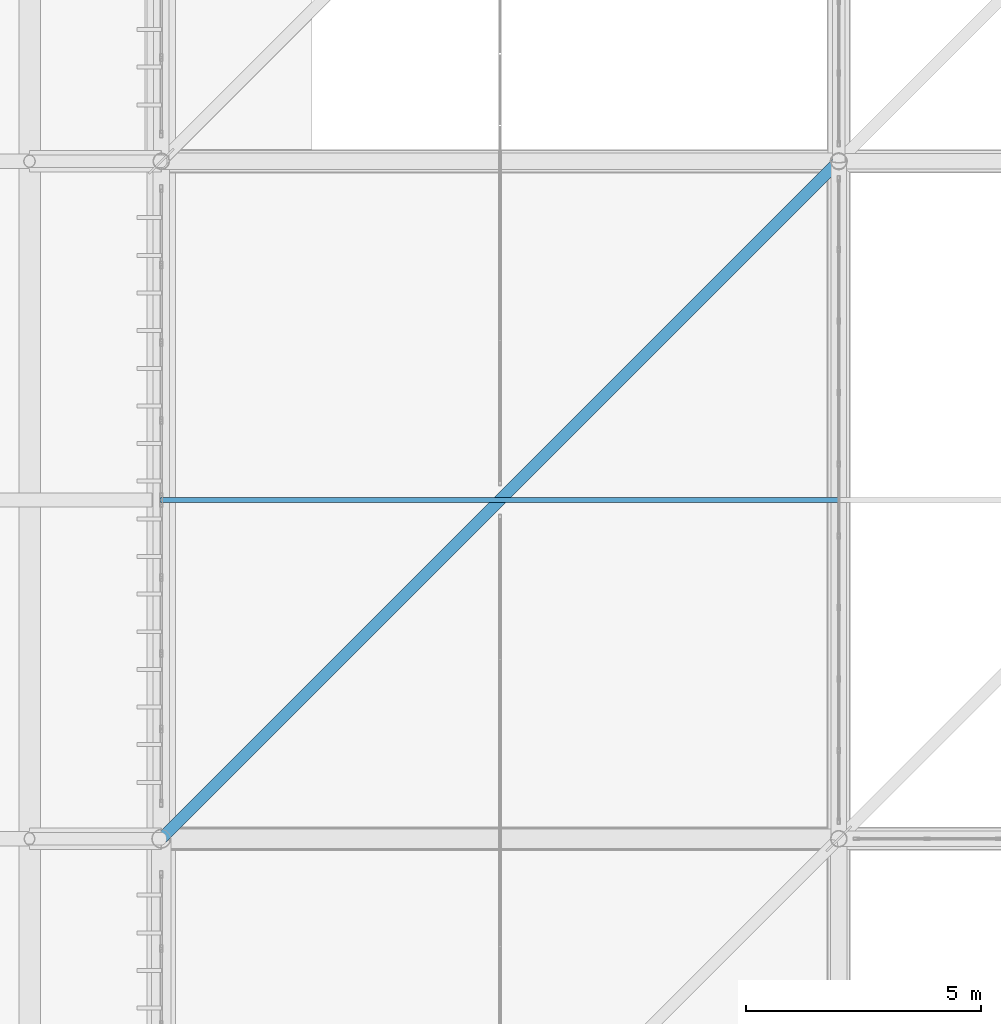
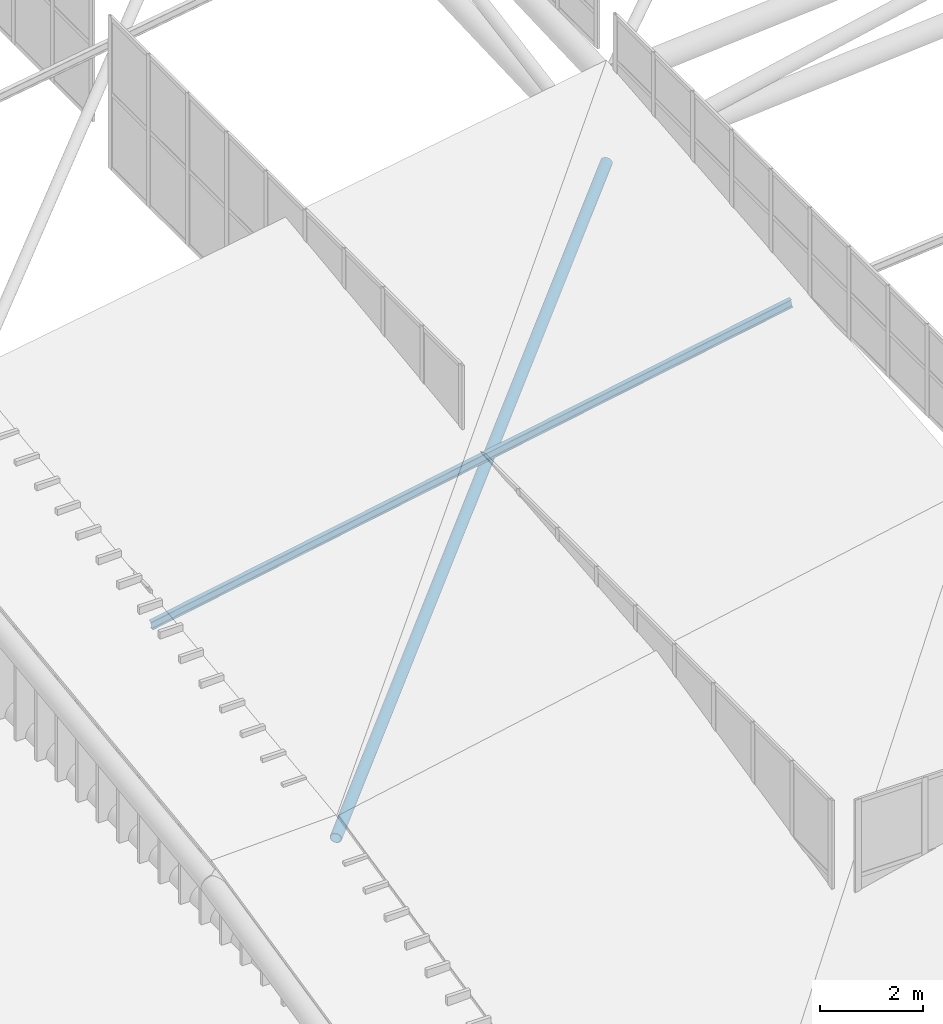
# One storey, part 53 of 397: 2 members.
"""IFC4 building model written with IfcOpenShell, lengths in metres."""

from ifc_helpers import new_model, si_unit, direction, frame, origin, origin_2d, place, context, subcontext, project, spatial, hollow_circle, i_section, extrude, material, material_profile, profile_set, type_object, element, save


model = new_model("IFC4")

# Units and contexts
model_context = context("Model", 3, precision=1e-05, world=origin(), true_north=direction((0.0, 1.0)))
body_context = subcontext(model_context, "Body", "Model", "MODEL_VIEW")
ifc_project = project(units=[si_unit("LENGTHUNIT", "METRE"), si_unit("AREAUNIT", "SQUARE_METRE"), si_unit("VOLUMEUNIT", "CUBIC_METRE"), si_unit("PLANEANGLEUNIT", "RADIAN"), si_unit("MASSUNIT", "GRAM", prefix="KILO")], contexts=[model_context])

# Site, building, storey
site_placement = place(None, origin())
site = spatial("IfcSite", under=ifc_project, at=site_placement, CompositionType="ELEMENT")
building_placement = place(site_placement, origin())
building = spatial("IfcBuilding", under=site, at=building_placement, Name="Qandorah Velis Arena", CompositionType="ELEMENT")
storey_placement = place(building_placement, frame((0.0, 0.0, 27.5)))
storey = spatial("IfcBuildingStorey", under=building, at=storey_placement, Name="RF", CompositionType="ELEMENT", Elevation=27.5)

# Members
ifc_material = material(Name="Steel S355", Category="steel")
ifc_material_profile_1 = material_profile(ifc_material, i_section(OverallWidth=0.10009765625, OverallDepth=0.199951171875, WebThickness=0.005615234375, FlangeThickness=0.008544921875, FilletRadius=0.011962890625, at=origin_2d()), Name="IPE 200")
ifc_profile_set_1 = profile_set([ifc_material_profile_1], Name="Steel S355")
member_type_1 = type_object("IfcMemberType", Name="STR-PRL-IPE200", PredefinedType="PURLIN", material=ifc_profile_set_1)
member_1_placement = place(storey_placement, frame((14.39990234375, 36.0, 5.308349609375), z_axis=(0.983690903884, 0.0, 0.179867188824), x_axis=(0.0, 1.0, 0.0)))
element("IfcMember", 1, at=member_1_placement, inside=storey, type_object=member_type_1, Name="Arena roof purlin PRL-0.1", PredefinedType="PURLIN", context=body_context, shape_type="SweptSolid", body=[
    extrude(i_section(OverallWidth=0.10009765625, OverallDepth=0.199951171875, WebThickness=0.005615234375, FlangeThickness=0.008544921875, FilletRadius=0.011962890625, at=origin_2d()), origin(), (0.0, 0.0, 1.0), 14.638916015625),
])
ifc_material_profile_2 = material_profile(ifc_material, hollow_circle(Radius=0.122314453125, WallThickness=0.012451171875, at=origin_2d()), Name="CHS 244.5x12.5")
ifc_profile_set_2 = profile_set([ifc_material_profile_2], Name="Steel S355")
member_type_2 = type_object("IfcMemberType", Name="STR-SFD-CHS244X12", PredefinedType="STRUT", material=ifc_profile_set_2)
member_2_placement = place(storey_placement, frame((28.800048828125, 43.199951171875, 6.90771484375), z_axis=(-0.702648289033, -0.702636376308, -0.112194048897), x_axis=(0.707100786953, -0.707112775369, 0.0)))
element("IfcMember", 2, at=member_2_placement, inside=storey, type_object=member_type_2, Name="Space frame roof spatial diagonal 0.1", PredefinedType="STRUT", context=body_context, shape_type="SweptSolid", body=[
    extrude(hollow_circle(Radius=0.122314453125, WallThickness=0.012451171875, at=origin_2d()), origin(), (0.0, 0.0, 1.0), 20.494140625),
])

save(model, "model.ifc")
